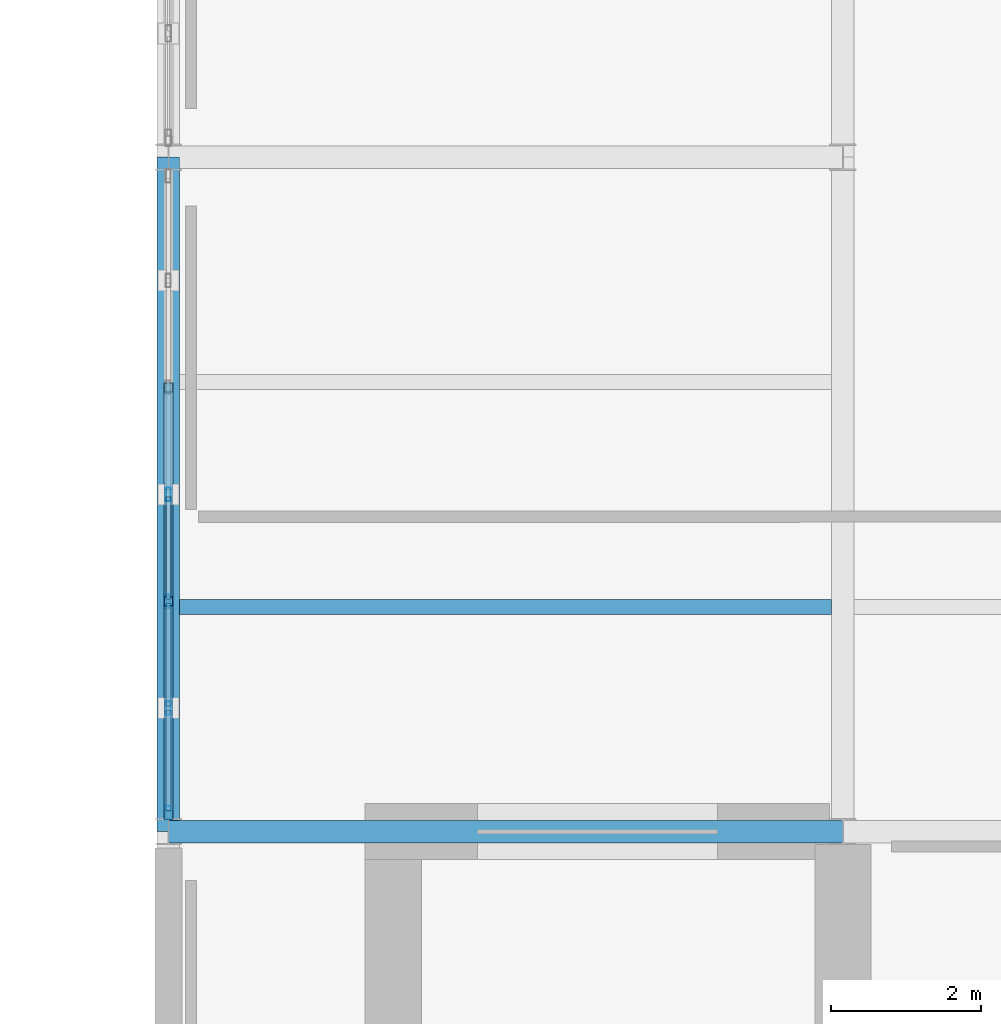
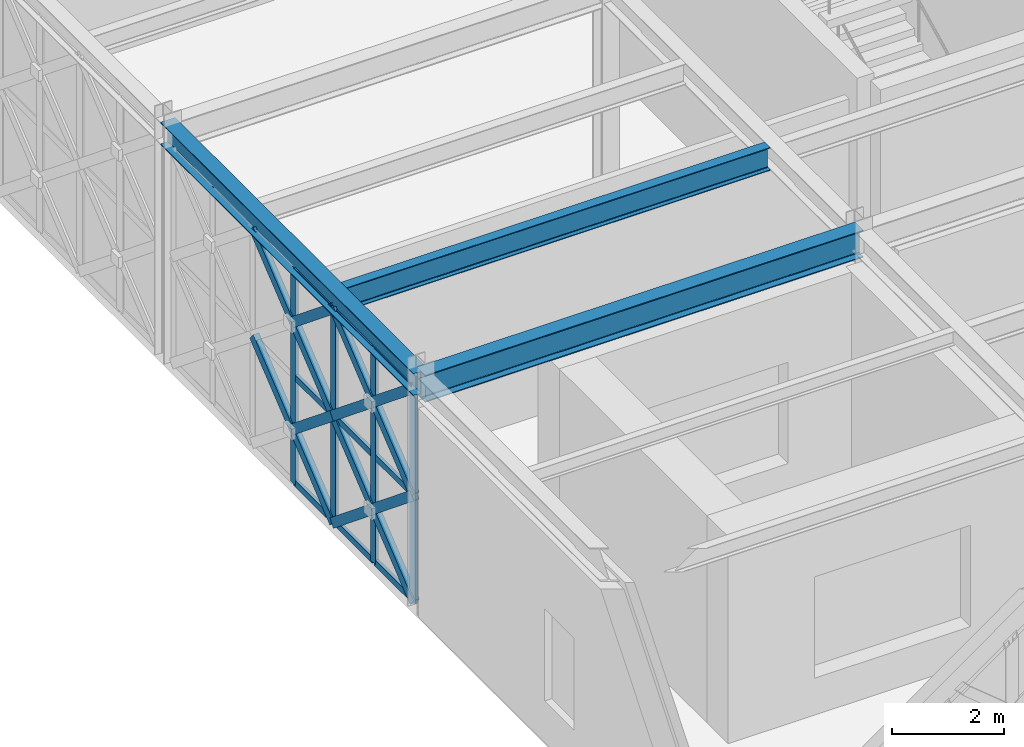
# One storey, part 30 of 166: 23 members, 3 beams, 1 element without a shape of its own.
"""IFC4 building model written with IfcOpenShell, lengths in metres."""

from ifc_helpers import new_model, si_unit, direction, frame, origin, origin_2d, place, context, subcontext, project, spatial, hollow_rectangle, i_section, extrude, material, material_profile, profile_set, type_object, element, aggregate, save


model = new_model("IFC4")

# Units and contexts
model_context = context("Model", 3, precision=1e-05, world=origin(), true_north=direction((0.0, 1.0)))
body_context = subcontext(model_context, "Body", "Model", "MODEL_VIEW")
ifc_project = project(units=[si_unit("LENGTHUNIT", "METRE"), si_unit("AREAUNIT", "SQUARE_METRE"), si_unit("VOLUMEUNIT", "CUBIC_METRE"), si_unit("PLANEANGLEUNIT", "RADIAN"), si_unit("MASSUNIT", "GRAM", prefix="KILO")], contexts=[model_context])

# Site, building, storey
site_placement = place(None, origin())
site = spatial("IfcSite", under=ifc_project, at=site_placement, CompositionType="ELEMENT")
building_placement = place(site_placement, origin())
building = spatial("IfcBuilding", under=site, at=building_placement, Name="Haizhuo Lancet Aquarium", CompositionType="ELEMENT")
storey_placement = place(building_placement, frame((0.0, 0.0, 5.39990234375)))
storey = spatial("IfcBuildingStorey", under=building, at=storey_placement, Name="L01", CompositionType="ELEMENT", Elevation=5.39990234375)

# Beams
ifc_material_1 = material(Name="Steel S355", Category="steel")
ifc_material_profile_1 = material_profile(ifc_material_1, i_section(OverallWidth=0.300048828125, OverallDepth=0.488037109375, WebThickness=0.010986328125, FlangeThickness=0.01806640625, FilletRadius=0.02392578125, at=origin_2d()), Name="HM 488x300x11x18")
ifc_profile_set_1 = profile_set([ifc_material_profile_1], Name="Steel S355")
beam_type_1 = type_object("IfcBeamType", Name="BM-ST-HM488", PredefinedType="BEAM", material=ifc_profile_set_1)
beam_1_placement = place(storey_placement, frame((-18.0, -45.0, 4.89599609375), z_axis=(0.0, 1.0, 0.0), x_axis=(-1.0, 0.0, 0.0)))
element("IfcBeam", 1, at=beam_1_placement, inside=storey, type_object=beam_type_1, Name="L01 V4 primary girder BM-L01-V4-003", PredefinedType="BEAM", context=body_context, shape_type="SweptSolid", body=[
    extrude(i_section(OverallWidth=0.300048828125, OverallDepth=0.488037109375, WebThickness=0.010986328125, FlangeThickness=0.01806640625, FilletRadius=0.02392578125, at=origin_2d()), origin(), (0.0, 0.0, 1.0), 9.0),
])
ifc_material_profile_2 = material_profile(ifc_material_1, i_section(OverallWidth=0.300048828125, OverallDepth=0.587890625, WebThickness=0.011962890625, FlangeThickness=0.02001953125, FilletRadius=0.02587890625, at=origin_2d()), Name="HM 588x300x12x20")
ifc_profile_set_2 = profile_set([ifc_material_profile_2], Name="Steel S355")
beam_type_2 = type_object("IfcBeamType", Name="BM-ST-HM588", PredefinedType="BEAM", material=ifc_profile_set_2)
beam_2_placement = place(storey_placement, frame((-18.0, -45.0, 4.84619140625), z_axis=(1.0, 0.0, 0.0), x_axis=(0.0, 1.0, 0.0)))
element("IfcBeam", 2, at=beam_2_placement, inside=storey, type_object=beam_type_2, Name="L01 V4 primary girder BM-L01-V4-004", PredefinedType="BEAM", context=body_context, shape_type="SweptSolid", body=[
    extrude(i_section(OverallWidth=0.300048828125, OverallDepth=0.587890625, WebThickness=0.011962890625, FlangeThickness=0.02001953125, FilletRadius=0.02587890625, at=origin_2d()), origin(), (0.0, 0.0, 1.0), 9.0),
])

# Curtain wall, members
ifc_material_2 = material(Name="Aluminium 6063-T6", Category="aluminium")
curtain_wall_type = type_object("IfcCurtainWallType", Name="CWO-8560x4650", PredefinedType="NOTDEFINED", material=ifc_material_2)
curtain_wall_placement = place(storey_placement, origin())
curtain_wall = element("IfcCurtainWall", 3, at=curtain_wall_placement, inside=storey, type_object=curtain_wall_type, Name="L01 curtain wall CW-V4-L01-100", PredefinedType="NOTDEFINED")
ifc_material_profile_3 = material_profile(ifc_material_2, hollow_rectangle(XDim=0.06494140625, YDim=0.179931640625, WallThickness=0.00390625, at=origin_2d()), Name="ALU-M 65x180x4")
ifc_profile_set_3 = profile_set([ifc_material_profile_3], Name="Aluminium 6063-T6")
member_type_1 = type_object("IfcMemberType", Name="CW-MUL-1", PredefinedType="MULLION", material=ifc_profile_set_3)
member_1_placement = place(storey_placement, frame((-18.0, -44.748046875, 0.0), z_axis=(0.0, 0.0, 1.0), x_axis=(-1.0, 0.0, 0.0)))
member_1 = element("IfcMember", 4, at=member_1_placement, type_object=member_type_1, Name="CWO-85x46 mullion 1", PredefinedType="MULLION", context=body_context, shape_type="SweptSolid", body=[
    extrude(hollow_rectangle(XDim=0.06494140625, YDim=0.179931640625, WallThickness=0.00390625, at=origin_2d()), origin(), (0.0, 0.0, 1.0), 4.652099609375),
])
member_2_placement = place(storey_placement, frame((-18.0, -43.35302734375, 0.0), z_axis=(0.0, 0.0, 1.0), x_axis=(-1.0, 0.0, 0.0)))
member_2 = element("IfcMember", 5, at=member_2_placement, type_object=member_type_1, Name="CWO-85x46 mullion 2", PredefinedType="MULLION", context=body_context, shape_type="SweptSolid", body=[
    extrude(hollow_rectangle(XDim=0.06494140625, YDim=0.179931640625, WallThickness=0.00390625, at=origin_2d()), origin(), (0.0, 0.0, 1.0), 4.652099609375),
])
member_3_placement = place(storey_placement, frame((-18.0, -41.927001953125, 0.0), z_axis=(0.0, 0.0, 1.0), x_axis=(-1.0, 0.0, 0.0)))
member_3 = element("IfcMember", 6, at=member_3_placement, type_object=member_type_1, Name="CWO-85x46 mullion 3", PredefinedType="MULLION", context=body_context, shape_type="SweptSolid", body=[
    extrude(hollow_rectangle(XDim=0.06494140625, YDim=0.179931640625, WallThickness=0.00390625, at=origin_2d()), origin(), (0.0, 0.0, 1.0), 4.652099609375),
])
member_4_placement = place(storey_placement, frame((-18.0, -40.5, 0.0), z_axis=(0.0, 0.0, 1.0), x_axis=(-1.0, 0.0, 0.0)))
member_4 = element("IfcMember", 7, at=member_4_placement, type_object=member_type_1, Name="CWO-85x46 mullion 4", PredefinedType="MULLION", context=body_context, shape_type="SweptSolid", body=[
    extrude(hollow_rectangle(XDim=0.06494140625, YDim=0.179931640625, WallThickness=0.00390625, at=origin_2d()), origin(), (0.0, 0.0, 1.0), 4.652099609375),
])
ifc_material_profile_4 = material_profile(ifc_material_2, hollow_rectangle(XDim=0.06494140625, YDim=0.139892578125, WallThickness=0.00390625, at=origin_2d()), Name="ALU-T 65x140x4")
ifc_profile_set_4 = profile_set([ifc_material_profile_4], Name="Aluminium 6063-T6")
member_type_2 = type_object("IfcMemberType", Name="CW-TRN-1", PredefinedType="NOTDEFINED", material=ifc_profile_set_4)
member_5_placement = place(storey_placement, frame((-18.0, -44.715087890625, 0.033203125), z_axis=(0.0, 1.0, 0.0), x_axis=(-1.0, 0.0, 0.0)))
member_5 = element("IfcMember", 8, at=member_5_placement, type_object=member_type_2, Name="CWO-85x46 transom 1.1", ObjectType="TRANSOM", PredefinedType="USERDEFINED", context=body_context, shape_type="SweptSolid", body=[
    extrude(hollow_rectangle(XDim=0.06494140625, YDim=0.139892578125, WallThickness=0.00390625, at=origin_2d()), origin(), (0.0, 0.0, 1.0), 1.3291015625),
])
member_6_placement = place(storey_placement, frame((-18.0, -44.715087890625, 2.326171875), z_axis=(0.0, 1.0, 0.0), x_axis=(-1.0, 0.0, 0.0)))
member_6 = element("IfcMember", 9, at=member_6_placement, type_object=member_type_2, Name="CWO-85x46 transom 1.2", ObjectType="TRANSOM", PredefinedType="USERDEFINED", context=body_context, shape_type="SweptSolid", body=[
    extrude(hollow_rectangle(XDim=0.06494140625, YDim=0.139892578125, WallThickness=0.00390625, at=origin_2d()), origin(), (0.0, 0.0, 1.0), 1.3291015625),
])
member_7_placement = place(storey_placement, frame((-18.0, -44.715087890625, 4.619140625), z_axis=(0.0, 1.0, 0.0), x_axis=(-1.0, 0.0, 0.0)))
member_7 = element("IfcMember", 10, at=member_7_placement, type_object=member_type_2, Name="CWO-85x46 transom 1.3", ObjectType="TRANSOM", PredefinedType="USERDEFINED", context=body_context, shape_type="SweptSolid", body=[
    extrude(hollow_rectangle(XDim=0.06494140625, YDim=0.139892578125, WallThickness=0.00390625, at=origin_2d()), origin(), (0.0, 0.0, 1.0), 1.3291015625),
])
member_8_placement = place(storey_placement, frame((-18.0, -43.321044921875, 0.033203125), z_axis=(0.0, 1.0, 0.0), x_axis=(-1.0, 0.0, 0.0)))
member_8 = element("IfcMember", 11, at=member_8_placement, type_object=member_type_2, Name="CWO-85x46 transom 2.1", ObjectType="TRANSOM", PredefinedType="USERDEFINED", context=body_context, shape_type="SweptSolid", body=[
    extrude(hollow_rectangle(XDim=0.06494140625, YDim=0.139892578125, WallThickness=0.00390625, at=origin_2d()), origin(), (0.0, 0.0, 1.0), 1.362060546875),
])
member_9_placement = place(storey_placement, frame((-18.0, -43.321044921875, 2.326171875), z_axis=(0.0, 1.0, 0.0), x_axis=(-1.0, 0.0, 0.0)))
member_9 = element("IfcMember", 12, at=member_9_placement, type_object=member_type_2, Name="CWO-85x46 transom 2.2", ObjectType="TRANSOM", PredefinedType="USERDEFINED", context=body_context, shape_type="SweptSolid", body=[
    extrude(hollow_rectangle(XDim=0.06494140625, YDim=0.139892578125, WallThickness=0.00390625, at=origin_2d()), origin(), (0.0, 0.0, 1.0), 1.362060546875),
])
member_10_placement = place(storey_placement, frame((-18.0, -43.321044921875, 4.619140625), z_axis=(0.0, 1.0, 0.0), x_axis=(-1.0, 0.0, 0.0)))
member_10 = element("IfcMember", 13, at=member_10_placement, type_object=member_type_2, Name="CWO-85x46 transom 2.3", ObjectType="TRANSOM", PredefinedType="USERDEFINED", context=body_context, shape_type="SweptSolid", body=[
    extrude(hollow_rectangle(XDim=0.06494140625, YDim=0.139892578125, WallThickness=0.00390625, at=origin_2d()), origin(), (0.0, 0.0, 1.0), 1.362060546875),
])
member_11_placement = place(storey_placement, frame((-18.0, -41.89404296875, 0.033203125), z_axis=(0.0, 1.0, 0.0), x_axis=(-1.0, 0.0, 0.0)))
member_11 = element("IfcMember", 14, at=member_11_placement, type_object=member_type_2, Name="CWO-85x46 transom 3.1", ObjectType="TRANSOM", PredefinedType="USERDEFINED", context=body_context, shape_type="SweptSolid", body=[
    extrude(hollow_rectangle(XDim=0.06494140625, YDim=0.139892578125, WallThickness=0.00390625, at=origin_2d()), origin(), (0.0, 0.0, 1.0), 1.362060546875),
])
member_12_placement = place(storey_placement, frame((-18.0, -41.89404296875, 2.326171875), z_axis=(0.0, 1.0, 0.0), x_axis=(-1.0, 0.0, 0.0)))
member_12 = element("IfcMember", 15, at=member_12_placement, type_object=member_type_2, Name="CWO-85x46 transom 3.2", ObjectType="TRANSOM", PredefinedType="USERDEFINED", context=body_context, shape_type="SweptSolid", body=[
    extrude(hollow_rectangle(XDim=0.06494140625, YDim=0.139892578125, WallThickness=0.00390625, at=origin_2d()), origin(), (0.0, 0.0, 1.0), 1.362060546875),
])
member_13_placement = place(storey_placement, frame((-18.0, -41.89404296875, 4.619140625), z_axis=(0.0, 1.0, 0.0), x_axis=(-1.0, 0.0, 0.0)))
member_13 = element("IfcMember", 16, at=member_13_placement, type_object=member_type_2, Name="CWO-85x46 transom 3.3", ObjectType="TRANSOM", PredefinedType="USERDEFINED", context=body_context, shape_type="SweptSolid", body=[
    extrude(hollow_rectangle(XDim=0.06494140625, YDim=0.139892578125, WallThickness=0.00390625, at=origin_2d()), origin(), (0.0, 0.0, 1.0), 1.362060546875),
])
aggregate(curtain_wall, [member_1, member_2, member_3, member_4, member_5, member_6, member_7, member_8, member_9, member_10, member_11, member_12, member_13])

# Beam
ifc_material_profile_5 = material_profile(ifc_material_1, i_section(OverallWidth=0.199951171875, OverallDepth=0.5, WebThickness=0.010009765625, FlangeThickness=0.01611328125, FilletRadius=0.02001953125, at=origin_2d()), Name="HN 500x200x10x16")
ifc_profile_set_5 = profile_set([ifc_material_profile_5], Name="Steel S355")
beam_type_3 = type_object("IfcBeamType", Name="JST-ST-HN500", PredefinedType="JOIST", material=ifc_profile_set_5)
beam_3_placement = place(storey_placement, frame((-17.85009765625, -42.0, 4.89013671875), z_axis=(1.0, 0.0, 0.0), x_axis=(0.0, 1.0, 0.0)))
element("IfcBeam", 17, at=beam_3_placement, inside=storey, type_object=beam_type_3, Name="L01 V4 secondary floor joist 3", PredefinedType="JOIST", context=body_context, shape_type="SweptSolid", body=[
    extrude(i_section(OverallWidth=0.199951171875, OverallDepth=0.5, WebThickness=0.010009765625, FlangeThickness=0.01611328125, FilletRadius=0.02001953125, at=origin_2d()), origin(), (0.0, 0.0, 1.0), 8.7001953125),
])

# Members
ifc_material_profile_6 = material_profile(ifc_material_1, hollow_rectangle(XDim=0.1201171875, YDim=0.199951171875, WallThickness=0.008056640625, at=origin_2d()), Name="RHS 120x200x8")
ifc_profile_set_6 = profile_set([ifc_material_profile_6], Name="Steel S355")
member_type_3 = type_object("IfcMemberType", Name="MEM-LB-RHS120x200", PredefinedType="BRACE", material=ifc_profile_set_6)
member_14_placement = place(storey_placement, frame((-18.0, -44.780029296875, 0.0), z_axis=(0.0, 0.775037676978, 0.631915025351), x_axis=(-1.0, 0.0, 0.0)))
element("IfcMember", 18, at=member_14_placement, inside=storey, type_object=member_type_3, Name="Gothic lancet continuous diagonal brace CW-V4-L01-100 1A", PredefinedType="BRACE", context=body_context, shape_type="SweptSolid", body=[
    extrude(hollow_rectangle(XDim=0.1201171875, YDim=0.199951171875, WallThickness=0.008056640625, at=origin_2d()), origin(), (0.0, 0.0, 1.0), 3.68115234375),
])
member_15_placement = place(storey_placement, frame((-18.0, -41.927001953125, 0.0), z_axis=(0.0, -0.774931710564, 0.63204496989), x_axis=(1.0, 0.0, 0.0)))
element("IfcMember", 19, at=member_15_placement, inside=storey, type_object=member_type_3, Name="Gothic lancet split diagonal brace CW-V4-L01-100 1B1", PredefinedType="BRACE", context=body_context, shape_type="SweptSolid", body=[
    extrude(hollow_rectangle(XDim=0.1201171875, YDim=0.199951171875, WallThickness=0.008056640625, at=origin_2d()), origin(), (0.0, 0.0, 1.0), 1.840087890625),
])
member_16_placement = place(storey_placement, frame((-18.0, -43.35302734375, 1.1630859375), z_axis=(0.0, -0.77514357805, 0.631785116481), x_axis=(1.0, 0.0, 0.0)))
element("IfcMember", 20, at=member_16_placement, inside=storey, type_object=member_type_3, Name="Gothic lancet split diagonal brace CW-V4-L01-100 1B2", PredefinedType="BRACE", context=body_context, shape_type="SweptSolid", body=[
    extrude(hollow_rectangle(XDim=0.1201171875, YDim=0.199951171875, WallThickness=0.008056640625, at=origin_2d()), origin(), (0.0, 0.0, 1.0), 1.841064453125),
])
member_17_placement = place(storey_placement, frame((-18.0, -44.780029296875, 2.326171875), z_axis=(0.0, 0.775070158992, 0.631875184384), x_axis=(-1.0, 0.0, 0.0)))
element("IfcMember", 21, at=member_17_placement, inside=storey, type_object=member_type_3, Name="Gothic lancet continuous diagonal brace CW-V4-L01-100 2A", PredefinedType="BRACE", context=body_context, shape_type="SweptSolid", body=[
    extrude(hollow_rectangle(XDim=0.1201171875, YDim=0.199951171875, WallThickness=0.008056640625, at=origin_2d()), origin(), (0.0, 0.0, 1.0), 3.680908203125),
])
member_18_placement = place(storey_placement, frame((-18.0, -41.927001953125, 2.326171875), z_axis=(0.0, -0.774996693103, 0.63196528835), x_axis=(1.0, 0.0, 0.0)))
element("IfcMember", 22, at=member_18_placement, inside=storey, type_object=member_type_3, Name="Gothic lancet split diagonal brace CW-V4-L01-100 2B1", PredefinedType="BRACE", context=body_context, shape_type="SweptSolid", body=[
    extrude(hollow_rectangle(XDim=0.1201171875, YDim=0.199951171875, WallThickness=0.008056640625, at=origin_2d()), origin(), (0.0, 0.0, 1.0), 1.840087890625),
])
member_19_placement = place(storey_placement, frame((-18.0, -43.35302734375, 3.489013671875), z_axis=(0.0, -0.77514357805, 0.631785116481), x_axis=(1.0, 0.0, 0.0)))
element("IfcMember", 23, at=member_19_placement, inside=storey, type_object=member_type_3, Name="Gothic lancet split diagonal brace CW-V4-L01-100 2B2", PredefinedType="BRACE", context=body_context, shape_type="SweptSolid", body=[
    extrude(hollow_rectangle(XDim=0.1201171875, YDim=0.199951171875, WallThickness=0.008056640625, at=origin_2d()), origin(), (0.0, 0.0, 1.0), 1.841064453125),
])
member_20_placement = place(storey_placement, frame((-18.0, -41.927001953125, 0.0), z_axis=(0.0, 0.77514357805, 0.631785116481), x_axis=(-1.0, 0.0, 0.0)))
element("IfcMember", 24, at=member_20_placement, inside=storey, type_object=member_type_3, Name="Gothic lancet continuous diagonal brace CW-V4-L01-100 3A", PredefinedType="BRACE", context=body_context, shape_type="SweptSolid", body=[
    extrude(hollow_rectangle(XDim=0.1201171875, YDim=0.199951171875, WallThickness=0.008056640625, at=origin_2d()), origin(), (0.0, 0.0, 1.0), 3.681884765625),
])
member_21_placement = place(storey_placement, frame((-18.0, -40.5, 1.1630859375), z_axis=(0.0, -0.77514357805, 0.631785116481), x_axis=(1.0, 0.0, 0.0)))
element("IfcMember", 25, at=member_21_placement, inside=storey, type_object=member_type_3, Name="Gothic lancet split diagonal brace CW-V4-L01-100 3B2", PredefinedType="BRACE", context=body_context, shape_type="SweptSolid", body=[
    extrude(hollow_rectangle(XDim=0.1201171875, YDim=0.199951171875, WallThickness=0.008056640625, at=origin_2d()), origin(), (0.0, 0.0, 1.0), 1.841064453125),
])
member_22_placement = place(storey_placement, frame((-18.0, -41.927001953125, 2.326171875), z_axis=(0.0, 0.775176051146, 0.63174527282), x_axis=(-1.0, 0.0, 0.0)))
element("IfcMember", 26, at=member_22_placement, inside=storey, type_object=member_type_3, Name="Gothic lancet continuous diagonal brace CW-V4-L01-100 4A", PredefinedType="BRACE", context=body_context, shape_type="SweptSolid", body=[
    extrude(hollow_rectangle(XDim=0.1201171875, YDim=0.199951171875, WallThickness=0.008056640625, at=origin_2d()), origin(), (0.0, 0.0, 1.0), 3.681640625),
])
member_23_placement = place(storey_placement, frame((-18.0, -40.5, 3.489013671875), z_axis=(0.0, -0.77514357805, 0.631785116481), x_axis=(1.0, 0.0, 0.0)))
element("IfcMember", 27, at=member_23_placement, inside=storey, type_object=member_type_3, Name="Gothic lancet split diagonal brace CW-V4-L01-100 4B2", PredefinedType="BRACE", context=body_context, shape_type="SweptSolid", body=[
    extrude(hollow_rectangle(XDim=0.1201171875, YDim=0.199951171875, WallThickness=0.008056640625, at=origin_2d()), origin(), (0.0, 0.0, 1.0), 1.841064453125),
])

save(model, "model.ifc")
